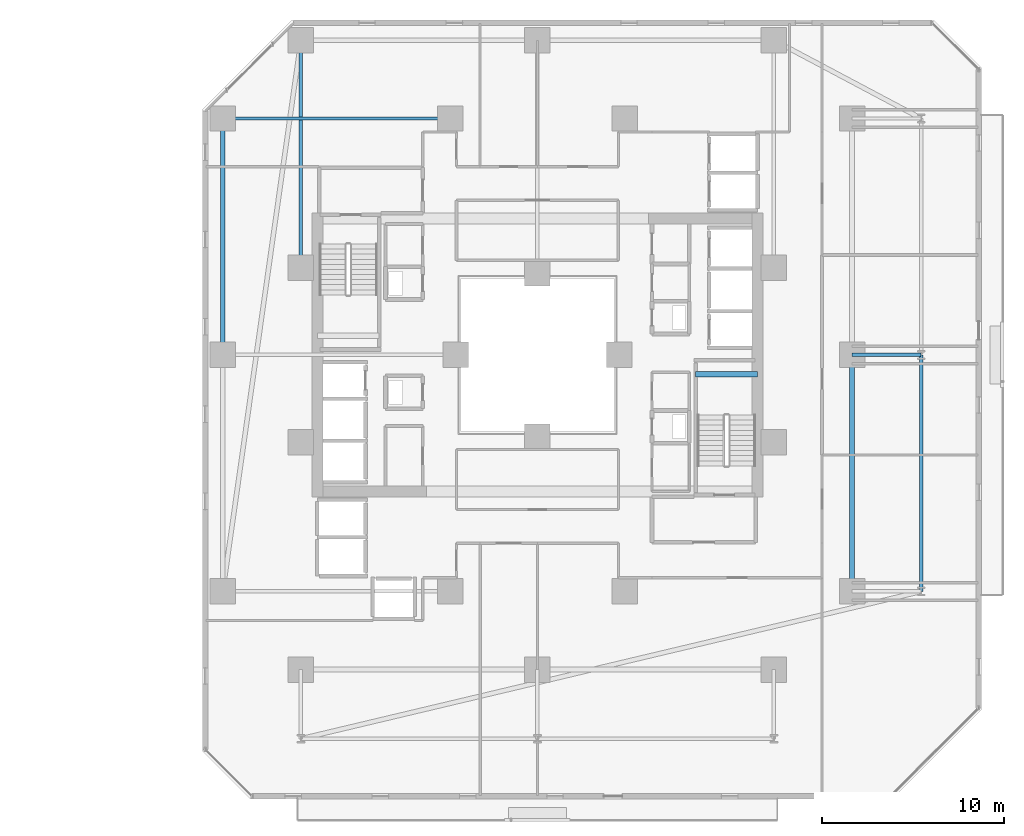
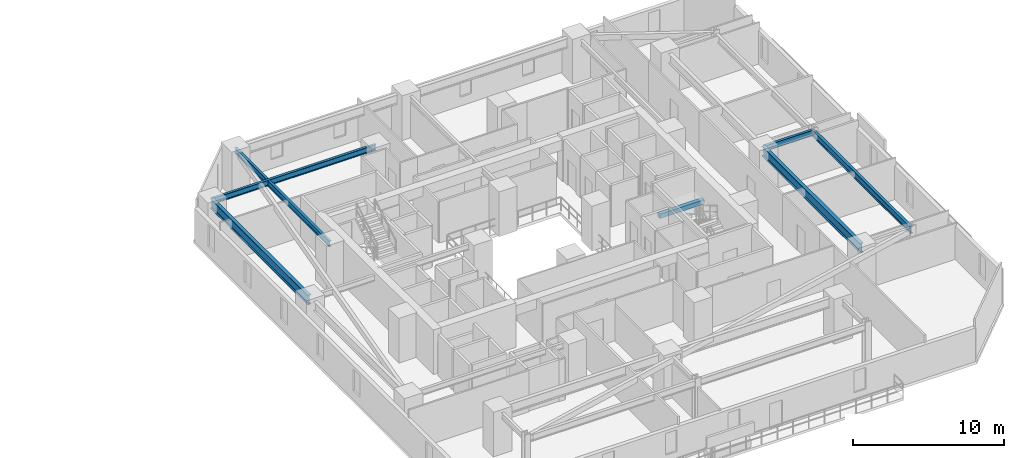
# One storey, part 13 of 33: 7 beams.
"""IFC4 building model written with IfcOpenShell, lengths in metres."""

from ifc_helpers import new_model, si_unit, direction, frame, origin, origin_2d, place, context, subcontext, project, spatial, rectangle, i_section, extrude, material, material_profile, profile_set, type_object, element, save


model = new_model("IFC4")

# Units and contexts
model_context = context("Model", 3, precision=1e-05, world=origin(), true_north=direction((0.0, 1.0)))
body_context = subcontext(model_context, "Body", "Model", "MODEL_VIEW")
ifc_project = project(units=[si_unit("LENGTHUNIT", "METRE"), si_unit("AREAUNIT", "SQUARE_METRE"), si_unit("VOLUMEUNIT", "CUBIC_METRE"), si_unit("PLANEANGLEUNIT", "RADIAN"), si_unit("MASSUNIT", "GRAM", prefix="KILO")], contexts=[model_context])

# Site, building, storey
site_placement = place(None, origin())
site = spatial("IfcSite", under=ifc_project, at=site_placement, CompositionType="ELEMENT")
building_placement = place(site_placement, origin())
building = spatial("IfcBuilding", under=site, at=building_placement, Name="Thornwick Lancets Civic Towers", CompositionType="ELEMENT")
storey_placement = place(building_placement, frame((0.0, 0.0, 42.300048828125)))
storey = spatial("IfcBuildingStorey", under=building, at=storey_placement, Name="L10", CompositionType="ELEMENT", Elevation=42.300048828125)

# Beams
ifc_material_1 = material(Name="Steel S355JR", Category="steel")
ifc_material_profile_1 = material_profile(ifc_material_1, i_section(OverallWidth=0.2119140625, OverallDepth=0.54443359375, WebThickness=0.0126953125, FlangeThickness=0.021240234375, FilletRadius=0.0126953125, at=origin_2d()), Name="UKB 533x210x122")
ifc_profile_set_1 = profile_set([ifc_material_profile_1], Name="Steel S355JR")
beam_type_1 = type_object("IfcBeamType", Name="BM_EDGE_533_122", PredefinedType="SPANDREL", material=ifc_profile_set_1)
beam_1_placement = place(storey_placement, frame((109.60009765625, 14.0, 3.087646484375), z_axis=(0.0, 1.0, 0.0), x_axis=(-1.0, 0.0, 0.0)))
element("IfcBeam", 1, at=beam_1_placement, inside=storey, type_object=beam_type_1, Name="BM-EDGE-L10-B-S0-1", PredefinedType="SPANDREL", context=body_context, shape_type="SweptSolid", body=[
    extrude(i_section(OverallWidth=0.2119140625, OverallDepth=0.54443359375, WebThickness=0.0126953125, FlangeThickness=0.021240234375, FilletRadius=0.0126953125, at=origin_2d()), origin(), (0.0, 0.0, 1.0), 13.0),
])
ifc_material_profile_2 = material_profile(ifc_material_1, i_section(OverallWidth=0.26806640625, OverallDepth=0.769775390625, WebThickness=0.015625, FlangeThickness=0.025390625, FilletRadius=0.0166015625, at=origin_2d()), Name="UKB 762x267x197")
ifc_profile_set_2 = profile_set([ifc_material_profile_2], Name="Steel S355JR")
beam_type_2 = type_object("IfcBeamType", Name="BM_GIRD_762_197", PredefinedType="BEAM", material=ifc_profile_set_2)
beam_2_placement = place(storey_placement, frame((105.800048828125, 14.0, 2.97509765625), z_axis=(0.0, 1.0, 0.0), x_axis=(-1.0, 0.0, 0.0)))
element("IfcBeam", 2, at=beam_2_placement, inside=storey, type_object=beam_type_2, Name="BM-SPINE-L10-B-0-1", PredefinedType="BEAM", context=body_context, shape_type="SweptSolid", body=[
    extrude(i_section(OverallWidth=0.26806640625, OverallDepth=0.769775390625, WebThickness=0.015625, FlangeThickness=0.025390625, FilletRadius=0.0166015625, at=origin_2d()), origin(), (0.0, 0.0, 1.0), 13.0),
])
beam_3_placement = place(storey_placement, frame((71.199951171875, 27.080078125, 2.97509765625), z_axis=(0.0, 1.0, 0.0), x_axis=(-1.0, 0.0, 0.0)))
element("IfcBeam", 3, at=beam_3_placement, inside=storey, type_object=beam_type_2, Name="BM-SPINE-L10-B-7-8", PredefinedType="BEAM", context=body_context, shape_type="SweptSolid", body=[
    extrude(i_section(OverallWidth=0.26806640625, OverallDepth=0.769775390625, WebThickness=0.015625, FlangeThickness=0.025390625, FilletRadius=0.0166015625, at=origin_2d()), origin(), (0.0, 0.0, 1.0), 12.919921875),
])
ifc_material_profile_3 = material_profile(ifc_material_1, i_section(OverallWidth=0.19189453125, OverallDepth=0.46337890625, WebThickness=0.010498046875, FlangeThickness=0.017578125, FilletRadius=0.01025390625, at=origin_2d()), Name="UKB 457x191x89")
ifc_profile_set_3 = profile_set([ifc_material_profile_3], Name="Steel S355JR")
beam_type_3 = type_object("IfcBeamType", Name="BM_JOIST_457_89", PredefinedType="JOIST", material=ifc_profile_set_3)
beam_4_placement = place(storey_placement, frame((105.800048828125, 27.0, 3.128173828125), z_axis=(1.0, 0.0, 0.0), x_axis=(0.0, 1.0, 0.0)))
element("IfcBeam", 4, at=beam_4_placement, inside=storey, type_object=beam_type_3, Name="BM-RAD-L10-B02", PredefinedType="JOIST", context=body_context, shape_type="SweptSolid", body=[
    extrude(i_section(OverallWidth=0.19189453125, OverallDepth=0.46337890625, WebThickness=0.010498046875, FlangeThickness=0.017578125, FilletRadius=0.01025390625, at=origin_2d()), origin(), (0.0, 0.0, 1.0), 3.800048828125),
])
for number, where, z_axis, x_axis, name in (
    (5, (75.5, 31.800048828125, 3.128173828125), (0.0, 1.0, 0.0), (-1.0, 0.0, 0.0), "BM-RADIN-L10-B06"),
    (6, (83.699951171875, 40.0, 3.128173828125), (-1.0, 0.0, 0.0), (0.0, -1.0, 0.0), "BM-RADIN-L10-B09"),
):
    element("IfcBeam", number, at=place(storey_placement, frame(where, z_axis=z_axis, x_axis=x_axis)), inside=storey, type_object=beam_type_3, Name=name, PredefinedType="JOIST", context=body_context, shape_type="SweptSolid", body=[
        extrude(i_section(OverallWidth=0.19189453125, OverallDepth=0.46337890625, WebThickness=0.010498046875, FlangeThickness=0.017578125, FilletRadius=0.01025390625, at=origin_2d()), origin(), (0.0, 0.0, 1.0), 12.5),
    ])
ifc_material_2 = material(Name="Concrete C40/50", Category="concrete")
ifc_material_profile_4 = material_profile(ifc_material_2, rectangle(XDim=0.300048828125, YDim=0.35009765625, at=origin_2d()), Name="RC 300x350")
ifc_profile_set_4 = profile_set([ifc_material_profile_4], Name="Concrete C40/50")
beam_type_4 = type_object("IfcBeamType", Name="BM_STAIR_LDG", PredefinedType="BEAM", material=ifc_profile_set_4)
beam_5_placement = place(storey_placement, frame((100.60009765625, 25.93505859375, 1.3779296875), z_axis=(-1.0, 0.0, 0.0), x_axis=(0.0, -1.0, 0.0)))
element("IfcBeam", 7, at=beam_5_placement, inside=storey, type_object=beam_type_4, Name="L10 ST-B1 Landing Support Beam 1", PredefinedType="BEAM", context=body_context, shape_type="SweptSolid", body=[
    extrude(rectangle(XDim=0.300048828125, YDim=0.35009765625, at=origin_2d()), origin(), (0.0, 0.0, 1.0), 3.400146484375),
])

save(model, "model.ifc")
